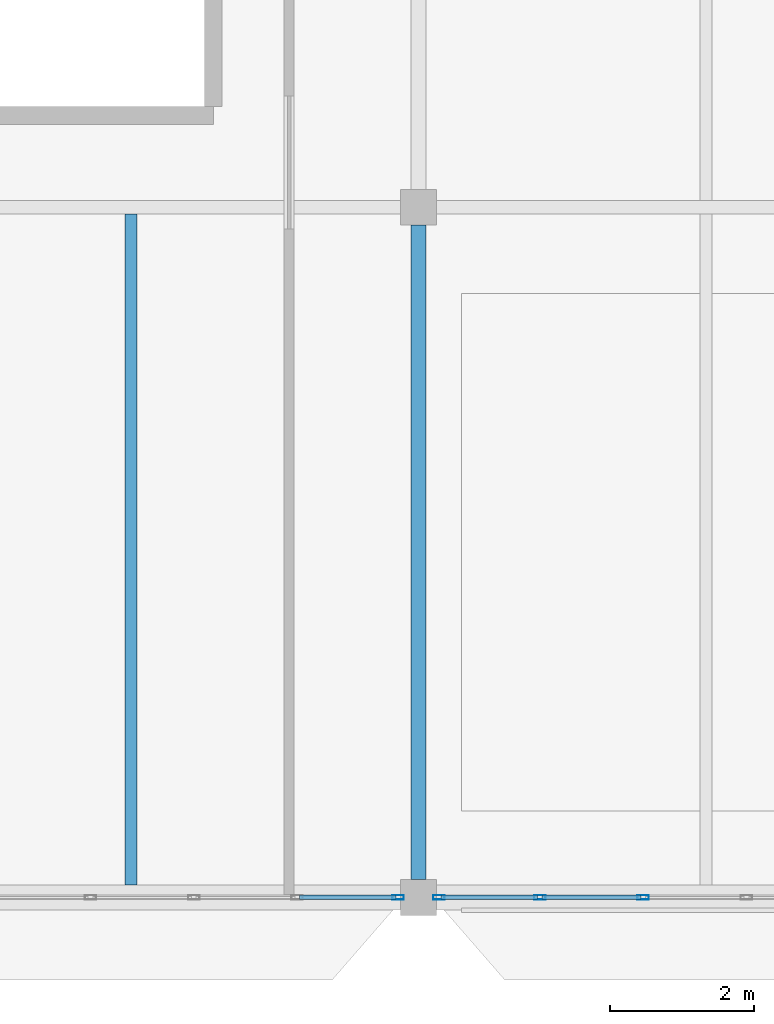
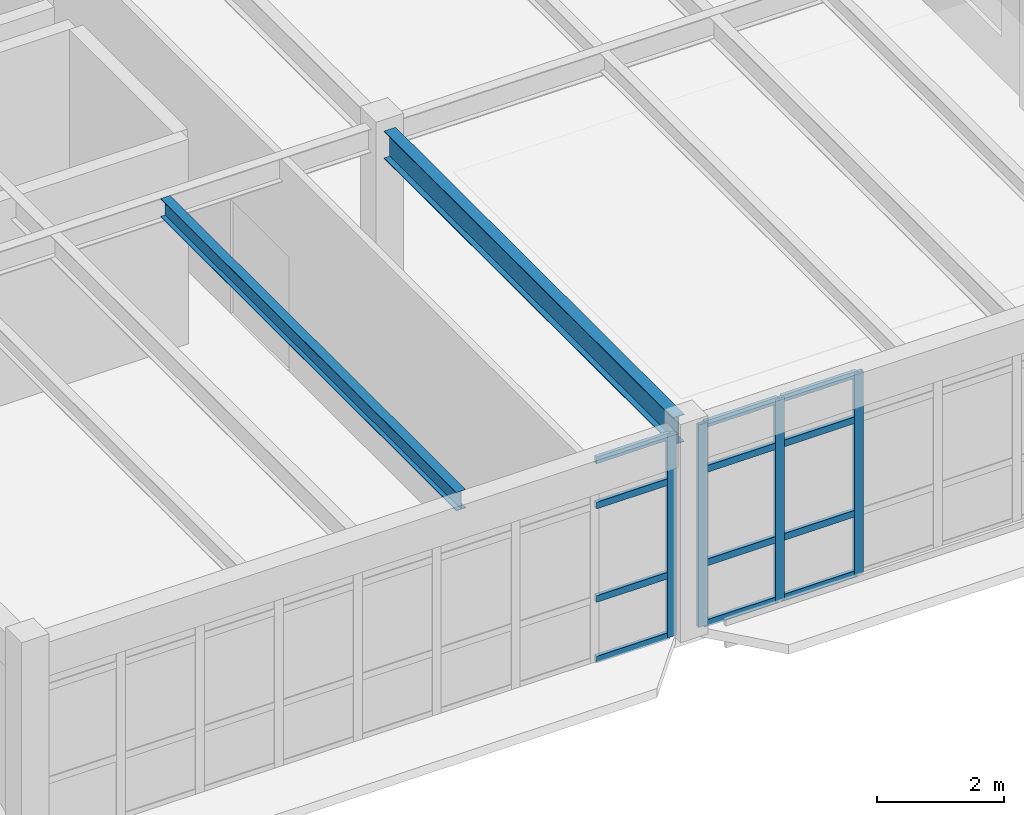
# One storey, part 9 of 83: 16 members, 2 beams, 2 elements without a shape of their own.
"""IFC4 building model written with IfcOpenShell, lengths in metres."""

from ifc_helpers import new_model, si_unit, direction, frame, origin, origin_2d, place, context, subcontext, project, spatial, hollow_rectangle, i_section, extrude, material, layer, layer_set, material_profile, profile_set, type_object, element, aggregate, save


model = new_model("IFC4")

# Units and contexts
model_context = context("Model", 3, precision=1e-05, world=origin(), true_north=direction((0.0, 1.0)))
body_context = subcontext(model_context, "Body", "Model", "MODEL_VIEW")
ifc_project = project(units=[si_unit("LENGTHUNIT", "METRE"), si_unit("AREAUNIT", "SQUARE_METRE"), si_unit("VOLUMEUNIT", "CUBIC_METRE"), si_unit("PLANEANGLEUNIT", "RADIAN"), si_unit("MASSUNIT", "GRAM", prefix="KILO")], contexts=[model_context])

# Site, building, storey
site_placement = place(None, origin())
site = spatial("IfcSite", under=ifc_project, at=site_placement, CompositionType="ELEMENT")
building_placement = place(site_placement, origin())
building = spatial("IfcBuilding", under=site, at=building_placement, Name="Pandanus Reach Market Hall", CompositionType="ELEMENT")
storey_placement = place(building_placement, frame((0.0, 0.0, 10.199951171875)))
storey = spatial("IfcBuildingStorey", under=building, at=storey_placement, Name="L02", CompositionType="ELEMENT", Elevation=10.199951171875)

# Beam
ifc_material_1 = material(Name="Steel Grade 350 (350 MPa)", Category="steel")
ifc_material_profile_1 = material_profile(ifc_material_1, i_section(OverallWidth=0.208984375, OverallDepth=0.532958984375, WebThickness=0.01025390625, FlangeThickness=0.015625, at=origin_2d()), Name="530UB92.4", Category="LoadBearing")
ifc_profile_set_1 = profile_set([ifc_material_profile_1], Name="Steel Grade 350 (350 MPa)")
beam_type_1 = type_object("IfcBeamType", Name="BM-UB530-I", PredefinedType="BEAM", material=ifc_profile_set_1)
beam_1_placement = place(storey_placement, frame((12.0, 0.248046875, 3.713134765625), z_axis=(0.0, 1.0, 0.0), x_axis=(-1.0, 0.0, 0.0)))
element("IfcBeam", 1, at=beam_1_placement, inside=storey, type_object=beam_type_1, Name="Framing beam BM-UB530-I L02.1022", PredefinedType="BEAM", context=body_context, shape_type="SweptSolid", body=[
    extrude(i_section(OverallWidth=0.208984375, OverallDepth=0.532958984375, WebThickness=0.01025390625, FlangeThickness=0.015625, at=origin_2d()), origin(), (0.0, 0.0, 1.0), 9.10400390625),
])

# Curtain wall, member
ifc_material_2 = material(Name="Bronze anodised aluminium and low-E glass", Category="aluminium")
ifc_layer = layer(ifc_material_2, 0.159912109375, Name="CW-21")
ifc_layer_set = layer_set([ifc_layer], Name="Bronze anodised aluminium and low-E glass")
curtain_wall_type = type_object("IfcCurtainWallType", Name="CW-21", PredefinedType="NOTDEFINED", material=ifc_layer_set)
curtain_wall_1_placement = place(storey_placement, origin())
curtain_wall_1 = element("IfcCurtainWall", 2, at=curtain_wall_1_placement, inside=storey, type_object=curtain_wall_type, Name="Glazed curtain wall CW-21 CW-0063", PredefinedType="NOTDEFINED")
ifc_material_3 = material(Name="Bronze anodised aluminium", Category="aluminium")
ifc_material_profile_2 = material_profile(ifc_material_3, hollow_rectangle(XDim=0.06494140625, YDim=0.159912109375, WallThickness=0.00390625, at=origin_2d()), Name="ALU65x160", Category="LoadBearing")
ifc_profile_set_2 = profile_set([ifc_material_profile_2], Name="Bronze anodised aluminium")
member_type_1 = type_object("IfcMemberType", Name="CW-M1", PredefinedType="MULLION", material=ifc_profile_set_2)
member_1_placement = place(storey_placement, frame((11.717529296875, 0.0, 0.0), z_axis=(0.0, 0.0, 1.0), x_axis=(0.0, 1.0, 0.0)))
member_1 = element("IfcMember", 3, at=member_1_placement, type_object=member_type_1, Name="CW-21 mullion 9", PredefinedType="MULLION", context=body_context, shape_type="SweptSolid", body=[
    extrude(hollow_rectangle(XDim=0.06494140625, YDim=0.159912109375, WallThickness=0.00390625, at=origin_2d()), origin(), (0.0, 0.0, 1.0), 3.900146484375),
])

# Curtain wall, members
curtain_wall_2_placement = place(storey_placement, origin())
curtain_wall_2 = element("IfcCurtainWall", 4, at=curtain_wall_2_placement, inside=storey, type_object=curtain_wall_type, Name="Glazed curtain wall CW-21 CW-0064", PredefinedType="NOTDEFINED")
member_2_placement = place(storey_placement, frame((12.282470703125, 0.0, 0.0), z_axis=(0.0, 0.0, 1.0), x_axis=(0.0, 1.0, 0.0)))
member_2 = element("IfcMember", 5, at=member_2_placement, type_object=member_type_1, Name="CW-21 mullion 1", PredefinedType="MULLION", context=body_context, shape_type="SweptSolid", body=[
    extrude(hollow_rectangle(XDim=0.06494140625, YDim=0.159912109375, WallThickness=0.00390625, at=origin_2d()), origin(), (0.0, 0.0, 1.0), 3.900146484375),
])
member_3_placement = place(storey_placement, frame((13.6875, 0.0, 0.0), z_axis=(0.0, 0.0, 1.0), x_axis=(0.0, 1.0, 0.0)))
member_3 = element("IfcMember", 6, at=member_3_placement, type_object=member_type_1, Name="CW-21 mullion 2", PredefinedType="MULLION", context=body_context, shape_type="SweptSolid", body=[
    extrude(hollow_rectangle(XDim=0.06494140625, YDim=0.159912109375, WallThickness=0.00390625, at=origin_2d()), origin(), (0.0, 0.0, 1.0), 3.900146484375),
])
member_4_placement = place(storey_placement, frame((15.125, 0.0, 0.0), z_axis=(0.0, 0.0, 1.0), x_axis=(0.0, 1.0, 0.0)))
member_4 = element("IfcMember", 7, at=member_4_placement, type_object=member_type_1, Name="CW-21 mullion 3", PredefinedType="MULLION", context=body_context, shape_type="SweptSolid", body=[
    extrude(hollow_rectangle(XDim=0.06494140625, YDim=0.159912109375, WallThickness=0.00390625, at=origin_2d()), origin(), (0.0, 0.0, 1.0), 3.900146484375),
])

# Member
ifc_material_profile_3 = material_profile(ifc_material_3, hollow_rectangle(XDim=0.06494140625, YDim=0.1298828125, WallThickness=0.00390625, at=origin_2d()), Name="ALU65x130", Category="LoadBearing")
ifc_profile_set_3 = profile_set([ifc_material_profile_3], Name="Bronze anodised aluminium")
member_type_2 = type_object("IfcMemberType", Name="CW-T1", PredefinedType="USERDEFINED", material=ifc_profile_set_3)
member_5_placement = place(storey_placement, frame((10.344970703125, 0.0, 0.032470703125), z_axis=(1.0, 0.0, 0.0), x_axis=(0.0, 1.0, 0.0)))
member_5 = element("IfcMember", 8, at=member_5_placement, type_object=member_type_2, Name="CW-21 transom 8.1", ObjectType="TRANSOM", PredefinedType="USERDEFINED", context=body_context, shape_type="SweptSolid", body=[
    extrude(hollow_rectangle(XDim=0.06494140625, YDim=0.1298828125, WallThickness=0.00390625, at=origin_2d()), origin(), (0.0, 0.0, 1.0), 1.340087890625),
])

member_6_placement = place(storey_placement, frame((10.344970703125, 0.0, 1.199951171875), z_axis=(1.0, 0.0, 0.0), x_axis=(0.0, 1.0, 0.0)))
member_6 = element("IfcMember", 9, at=member_6_placement, type_object=member_type_2, Name="CW-21 transom 8.2", ObjectType="TRANSOM", PredefinedType="USERDEFINED", context=body_context, shape_type="SweptSolid", body=[
    extrude(hollow_rectangle(XDim=0.06494140625, YDim=0.1298828125, WallThickness=0.00390625, at=origin_2d()), origin(), (0.0, 0.0, 1.0), 1.340087890625),
])

member_7_placement = place(storey_placement, frame((10.344970703125, 0.0, 3.0), z_axis=(1.0, 0.0, 0.0), x_axis=(0.0, 1.0, 0.0)))
member_7 = element("IfcMember", 10, at=member_7_placement, type_object=member_type_2, Name="CW-21 transom 8.3", ObjectType="TRANSOM", PredefinedType="USERDEFINED", context=body_context, shape_type="SweptSolid", body=[
    extrude(hollow_rectangle(XDim=0.06494140625, YDim=0.1298828125, WallThickness=0.00390625, at=origin_2d()), origin(), (0.0, 0.0, 1.0), 1.340087890625),
])

member_8_placement = place(storey_placement, frame((10.344970703125, 0.0, 3.867431640625), z_axis=(1.0, 0.0, 0.0), x_axis=(0.0, 1.0, 0.0)))
member_8 = element("IfcMember", 11, at=member_8_placement, type_object=member_type_2, Name="CW-21 transom 8.4", ObjectType="TRANSOM", PredefinedType="USERDEFINED", context=body_context, shape_type="SweptSolid", body=[
    extrude(hollow_rectangle(XDim=0.06494140625, YDim=0.1298828125, WallThickness=0.00390625, at=origin_2d()), origin(), (0.0, 0.0, 1.0), 1.340087890625),
])

aggregate(curtain_wall_1, [member_1, member_5, member_6, member_7, member_8])

member_9_placement = place(storey_placement, frame((12.31494140625, 0.0, 0.032470703125), z_axis=(1.0, 0.0, 0.0), x_axis=(0.0, 1.0, 0.0)))
member_9 = element("IfcMember", 12, at=member_9_placement, type_object=member_type_2, Name="CW-21 transom 1.1", ObjectType="TRANSOM", PredefinedType="USERDEFINED", context=body_context, shape_type="SweptSolid", body=[
    extrude(hollow_rectangle(XDim=0.06494140625, YDim=0.1298828125, WallThickness=0.00390625, at=origin_2d()), origin(), (0.0, 0.0, 1.0), 1.340087890625),
])

member_10_placement = place(storey_placement, frame((12.31494140625, 0.0, 1.199951171875), z_axis=(1.0, 0.0, 0.0), x_axis=(0.0, 1.0, 0.0)))
member_10 = element("IfcMember", 13, at=member_10_placement, type_object=member_type_2, Name="CW-21 transom 1.2", ObjectType="TRANSOM", PredefinedType="USERDEFINED", context=body_context, shape_type="SweptSolid", body=[
    extrude(hollow_rectangle(XDim=0.06494140625, YDim=0.1298828125, WallThickness=0.00390625, at=origin_2d()), origin(), (0.0, 0.0, 1.0), 1.340087890625),
])

member_11_placement = place(storey_placement, frame((12.31494140625, 0.0, 3.0), z_axis=(1.0, 0.0, 0.0), x_axis=(0.0, 1.0, 0.0)))
member_11 = element("IfcMember", 14, at=member_11_placement, type_object=member_type_2, Name="CW-21 transom 1.3", ObjectType="TRANSOM", PredefinedType="USERDEFINED", context=body_context, shape_type="SweptSolid", body=[
    extrude(hollow_rectangle(XDim=0.06494140625, YDim=0.1298828125, WallThickness=0.00390625, at=origin_2d()), origin(), (0.0, 0.0, 1.0), 1.340087890625),
])

member_12_placement = place(storey_placement, frame((12.31494140625, 0.0, 3.867431640625), z_axis=(1.0, 0.0, 0.0), x_axis=(0.0, 1.0, 0.0)))
member_12 = element("IfcMember", 15, at=member_12_placement, type_object=member_type_2, Name="CW-21 transom 1.4", ObjectType="TRANSOM", PredefinedType="USERDEFINED", context=body_context, shape_type="SweptSolid", body=[
    extrude(hollow_rectangle(XDim=0.06494140625, YDim=0.1298828125, WallThickness=0.00390625, at=origin_2d()), origin(), (0.0, 0.0, 1.0), 1.340087890625),
])

member_13_placement = place(storey_placement, frame((13.719970703125, 0.0, 0.032470703125), z_axis=(1.0, 0.0, 0.0), x_axis=(0.0, 1.0, 0.0)))
member_13 = element("IfcMember", 16, at=member_13_placement, type_object=member_type_2, Name="CW-21 transom 2.1", ObjectType="TRANSOM", PredefinedType="USERDEFINED", context=body_context, shape_type="SweptSolid", body=[
    extrude(hollow_rectangle(XDim=0.06494140625, YDim=0.1298828125, WallThickness=0.00390625, at=origin_2d()), origin(), (0.0, 0.0, 1.0), 1.37255859375),
])

member_14_placement = place(storey_placement, frame((13.719970703125, 0.0, 1.199951171875), z_axis=(1.0, 0.0, 0.0), x_axis=(0.0, 1.0, 0.0)))
member_14 = element("IfcMember", 17, at=member_14_placement, type_object=member_type_2, Name="CW-21 transom 2.2", ObjectType="TRANSOM", PredefinedType="USERDEFINED", context=body_context, shape_type="SweptSolid", body=[
    extrude(hollow_rectangle(XDim=0.06494140625, YDim=0.1298828125, WallThickness=0.00390625, at=origin_2d()), origin(), (0.0, 0.0, 1.0), 1.37255859375),
])

member_15_placement = place(storey_placement, frame((13.719970703125, 0.0, 3.0), z_axis=(1.0, 0.0, 0.0), x_axis=(0.0, 1.0, 0.0)))
member_15 = element("IfcMember", 18, at=member_15_placement, type_object=member_type_2, Name="CW-21 transom 2.3", ObjectType="TRANSOM", PredefinedType="USERDEFINED", context=body_context, shape_type="SweptSolid", body=[
    extrude(hollow_rectangle(XDim=0.06494140625, YDim=0.1298828125, WallThickness=0.00390625, at=origin_2d()), origin(), (0.0, 0.0, 1.0), 1.37255859375),
])

member_16_placement = place(storey_placement, frame((13.719970703125, 0.0, 3.867431640625), z_axis=(1.0, 0.0, 0.0), x_axis=(0.0, 1.0, 0.0)))
member_16 = element("IfcMember", 19, at=member_16_placement, type_object=member_type_2, Name="CW-21 transom 2.4", ObjectType="TRANSOM", PredefinedType="USERDEFINED", context=body_context, shape_type="SweptSolid", body=[
    extrude(hollow_rectangle(XDim=0.06494140625, YDim=0.1298828125, WallThickness=0.00390625, at=origin_2d()), origin(), (0.0, 0.0, 1.0), 1.37255859375),
])

aggregate(curtain_wall_2, [member_2, member_3, member_4, member_9, member_10, member_11, member_12, member_13, member_14, member_15, member_16])

# Beam
ifc_material_profile_4 = material_profile(ifc_material_1, i_section(OverallWidth=0.1708984375, OverallDepth=0.35595703125, WebThickness=0.00732421875, FlangeThickness=0.011474609375, at=origin_2d()), Name="360UB50.7", Category="LoadBearing")
ifc_profile_set_4 = profile_set([ifc_material_profile_4], Name="Steel Grade 350 (350 MPa)")
beam_type_2 = type_object("IfcBeamType", Name="JS-UB360-I", PredefinedType="JOIST", material=ifc_profile_set_4)
beam_2_placement = place(storey_placement, frame((8.0, 0.173095703125, 3.8017578125), z_axis=(0.0, 1.0, 0.0), x_axis=(-1.0, 0.0, 0.0)))
element("IfcBeam", 20, at=beam_2_placement, inside=storey, type_object=beam_type_2, Name="Secondary joist JS-UB360-I L02.1029", PredefinedType="JOIST", context=body_context, shape_type="SweptSolid", body=[
    extrude(i_section(OverallWidth=0.1708984375, OverallDepth=0.35595703125, WebThickness=0.00732421875, FlangeThickness=0.011474609375, at=origin_2d()), origin(), (0.0, 0.0, 1.0), 9.333984375),
])

save(model, "model.ifc")
